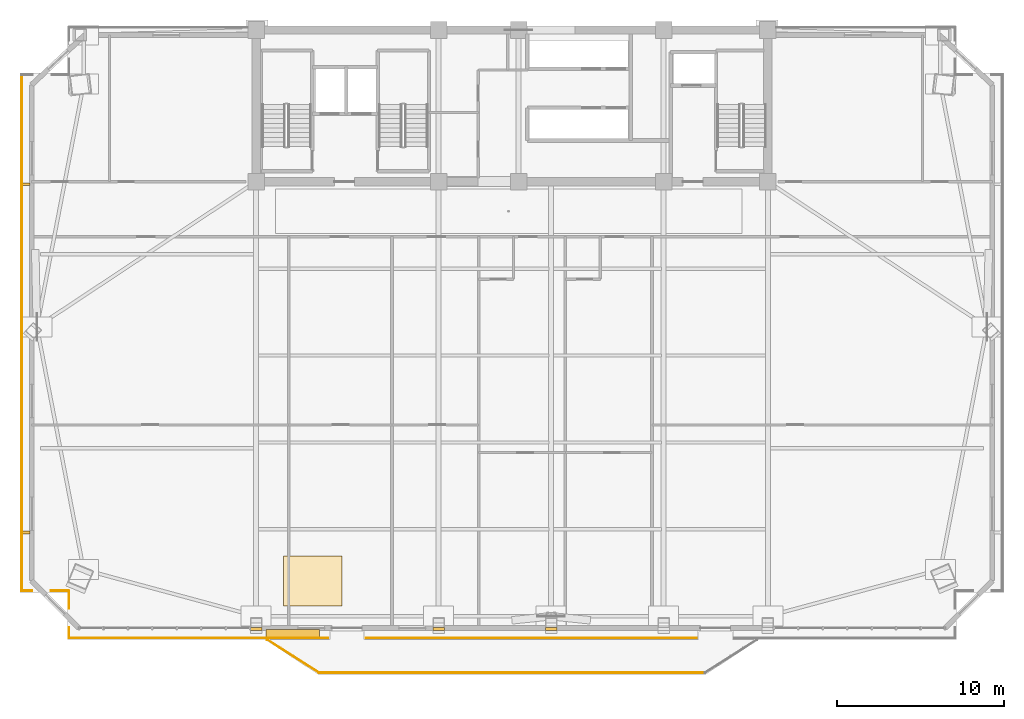
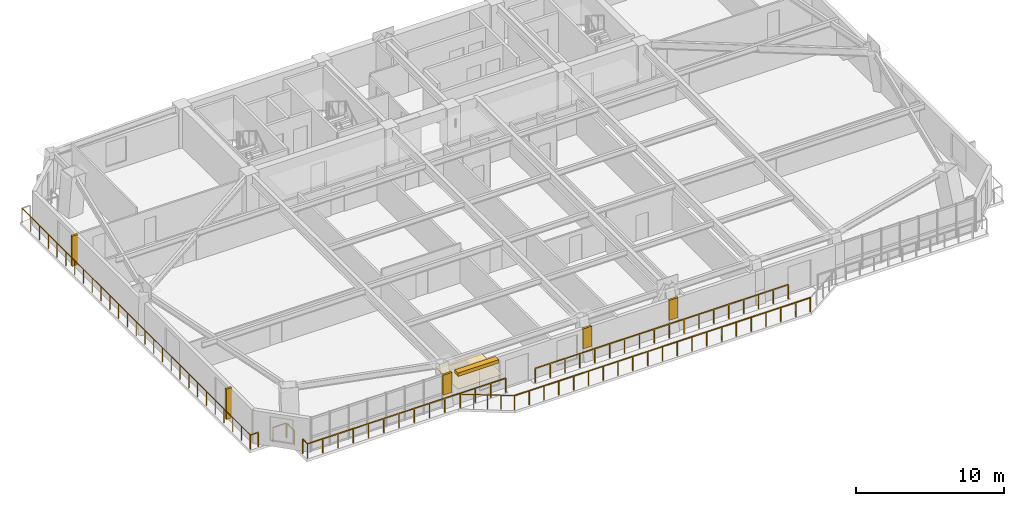
# One storey, part 12 of 16: 9 railings, 4 coverings, 3 shading devices.
"""IFC4 building model written with IfcOpenShell, lengths in metres."""

from ifc_helpers import new_model, si_unit, direction, frame, origin, origin_2d, place, context, subcontext, project, spatial, polyline, rectangle, outline, extrude, source, transform, mapped, material, layer, layer_set, type_object, element, save


model = new_model("IFC4")

# Units and contexts
model_context = context("Model", 3, precision=1e-05, world=origin(), true_north=direction((0.0, 1.0)))
body_context = subcontext(model_context, "Body", "Model", "MODEL_VIEW")
ifc_project = project(units=[si_unit("LENGTHUNIT", "METRE"), si_unit("AREAUNIT", "SQUARE_METRE"), si_unit("VOLUMEUNIT", "CUBIC_METRE"), si_unit("PLANEANGLEUNIT", "RADIAN"), si_unit("MASSUNIT", "GRAM", prefix="KILO")], contexts=[model_context])

# Site, building, storey
site_placement = place(None, origin())
site = spatial("IfcSite", under=ifc_project, at=site_placement, CompositionType="ELEMENT")
building_placement = place(site_placement, origin())
building = spatial("IfcBuilding", under=site, at=building_placement, Name="Giltprow Tower", CompositionType="ELEMENT")
storey_placement = place(building_placement, frame((0.0, 0.0, 199.199951171875)))
storey = spatial("IfcBuildingStorey", under=building, at=storey_placement, Name="L50", CompositionType="ELEMENT", Elevation=199.199951171875)

# Coverings
ifc_material_1 = material(Name="Engineered oak", Category="wood")
ifc_layer_1 = layer(ifc_material_1, 0.02490234375, Name="Engineered oak")
ifc_layer_set_1 = layer_set([ifc_layer_1], Name="Engineered oak")
covering_type_1 = type_object("IfcCoveringType", Name="COV-FLR-TIMBER", PredefinedType="FLOORING", material=ifc_layer_set_1)
covering_1_placement = place(storey_placement, origin())
element("IfcCovering", 1, at=covering_1_placement, inside=storey, type_object=covering_type_1, Name="L50 Engineered Oak Guestroom Flooring", PredefinedType="FLOORING", context=body_context, shape_type="SweptSolid", body=[
    extrude(outline(polyline([(21.5, 11.986083984375), (25.0, 11.986083984375), (25.0, 14.986083984375), (21.5, 14.986083984375), (21.5, 11.986083984375)])), origin(), (0.0, 0.0, 1.0), 0.025146484375),
])
ifc_material_2 = material(Name="Anodized bronze", Category="metal")
ifc_layer_2 = layer(ifc_material_2, 0.0400390625, Name="Anodized bronze")
ifc_layer_set_2 = layer_set([ifc_layer_2], Name="Anodized bronze")
covering_type_2 = type_object("IfcCoveringType", Name="COV-SOFFIT-BRONZE", PredefinedType="CLADDING", material=ifc_layer_set_2)
covering_2_placement = place(storey_placement, frame((0.0, 0.0, 1.10009765625)))
element("IfcCovering", 2, at=covering_2_placement, inside=storey, type_object=covering_type_2, Name="L50 Setback Pier Closure Cladding S-1", PredefinedType="CLADDING", context=body_context, shape_type="SweptSolid", body=[
    extrude(outline(polyline([(19.5, 10.5400390625), (20.199951171875, 10.5400390625), (20.199951171875, 10.699951171875), (19.5, 10.699951171875), (19.5, 10.5400390625)])), origin(), (0.0, 0.0, 1.0), 1.64990234375),
])
covering_3_placement = place(storey_placement, frame((0.0, 0.0, 1.10009765625)))
element("IfcCovering", 3, at=covering_3_placement, inside=storey, type_object=covering_type_2, Name="L50 Setback Pier Closure Cladding S-2", PredefinedType="CLADDING", context=body_context, shape_type="SweptSolid", body=[
    extrude(outline(polyline([(30.449951171875, 10.5400390625), (31.14990234375, 10.5400390625), (31.14990234375, 10.699951171875), (30.449951171875, 10.699951171875), (30.449951171875, 10.5400390625)])), origin(), (0.0, 0.0, 1.0), 1.64990234375),
])
covering_4_placement = place(storey_placement, frame((0.0, 0.0, 1.10009765625)))
element("IfcCovering", 4, at=covering_4_placement, inside=storey, type_object=covering_type_2, Name="L50 Setback Pier Closure Cladding S-3", PredefinedType="CLADDING", context=body_context, shape_type="SweptSolid", body=[
    extrude(outline(polyline([(37.199951171875, 10.5400390625), (37.89990234375, 10.5400390625), (37.89990234375, 10.699951171875), (37.199951171875, 10.699951171875), (37.199951171875, 10.5400390625)])), origin(), (0.0, 0.0, 1.0), 1.64990234375),
])

# Railings
railing_type = type_object("IfcRailingType", Name="RAIL-BALC-GUARD-1200", PredefinedType="BALUSTRADE", material=ifc_material_2)
railing_1_placement = place(storey_placement, frame((20.52001953125, 9.97998046875, 0.0)))
element("IfcRailing", 5, at=railing_1_placement, inside=storey, type_object=railing_type, Name="L50 Waterfront Balcony Balustrade Seg 1", PredefinedType="BALUSTRADE", context=body_context, shape_type="SweptSolid", body=[
    extrude(rectangle(XDim=0.048095703125, YDim=0.048095703125, at=origin_2d()), frame((0.0, 0.0, 1.17578125), z_axis=(0.84277487735, -0.538266203757, 0.0), x_axis=(0.538266203757, 0.84277487735, 0.0)), (0.0, 0.0, 1.0), 3.678466796875),
    extrude(rectangle(XDim=0.0419921875, YDim=0.0419921875, at=origin_2d()), origin(), (0.0, 0.0, 1.0), 1.15185546875),
    extrude(rectangle(XDim=0.0419921875, YDim=0.0419921875, at=origin_2d()), frame((0.77490234375, -0.4951171875, 0.0)), (0.0, 0.0, 1.0), 1.15185546875),
    extrude(rectangle(XDim=0.0419921875, YDim=0.0419921875, at=origin_2d()), frame((1.550048828125, -0.989990234375, 0.0)), (0.0, 0.0, 1.0), 1.15185546875),
    extrude(rectangle(XDim=0.0419921875, YDim=0.0419921875, at=origin_2d()), frame((2.3251953125, -1.48486328125, 0.0)), (0.0, 0.0, 1.0), 1.15185546875),
    extrude(rectangle(XDim=0.0419921875, YDim=0.0419921875, at=origin_2d()), frame((3.10009765625, -1.97998046875, 0.0)), (0.0, 0.0, 1.0), 1.15185546875),
])
railing_2_placement = place(storey_placement, frame((23.6201171875, 8.0, 0.0)))
element("IfcRailing", 6, at=railing_2_placement, inside=storey, type_object=railing_type, Name="L50 Waterfront Balcony Balustrade Seg 2", PredefinedType="BALUSTRADE", context=body_context, shape_type="SweptSolid", body=[
    extrude(rectangle(XDim=0.048095703125, YDim=0.048095703125, at=origin_2d()), frame((0.0, 0.0, 1.17578125), z_axis=(1.0, 0.0, 0.0), x_axis=(0.0, 1.0, 0.0)), (0.0, 0.0, 1.0), 23.159912109375),
    extrude(rectangle(XDim=0.0419921875, YDim=0.0419921875, at=origin_2d()), origin(), (0.0, 0.0, 1.0), 1.15185546875),
    extrude(rectangle(XDim=0.0419921875, YDim=0.0419921875, at=origin_2d()), frame((1.157958984375, 0.0, 0.0)), (0.0, 0.0, 1.0), 1.15185546875),
    extrude(rectangle(XDim=0.0419921875, YDim=0.0419921875, at=origin_2d()), frame((2.31591796875, 0.0, 0.0)), (0.0, 0.0, 1.0), 1.15185546875),
    extrude(rectangle(XDim=0.0419921875, YDim=0.0419921875, at=origin_2d()), frame((3.473876953125, 0.0, 0.0)), (0.0, 0.0, 1.0), 1.15185546875),
    extrude(rectangle(XDim=0.0419921875, YDim=0.0419921875, at=origin_2d()), frame((4.632080078125, 0.0, 0.0)), (0.0, 0.0, 1.0), 1.15185546875),
    extrude(rectangle(XDim=0.0419921875, YDim=0.0419921875, at=origin_2d()), frame((5.7900390625, 0.0, 0.0)), (0.0, 0.0, 1.0), 1.15185546875),
    extrude(rectangle(XDim=0.0419921875, YDim=0.0419921875, at=origin_2d()), frame((6.947998046875, 0.0, 0.0)), (0.0, 0.0, 1.0), 1.15185546875),
    extrude(rectangle(XDim=0.0419921875, YDim=0.0419921875, at=origin_2d()), frame((8.10595703125, 0.0, 0.0)), (0.0, 0.0, 1.0), 1.15185546875),
    extrude(rectangle(XDim=0.0419921875, YDim=0.0419921875, at=origin_2d()), frame((9.263916015625, 0.0, 0.0)), (0.0, 0.0, 1.0), 1.15185546875),
    extrude(rectangle(XDim=0.0419921875, YDim=0.0419921875, at=origin_2d()), frame((10.421875, 0.0, 0.0)), (0.0, 0.0, 1.0), 1.15185546875),
    extrude(rectangle(XDim=0.0419921875, YDim=0.0419921875, at=origin_2d()), frame((11.580078125, 0.0, 0.0)), (0.0, 0.0, 1.0), 1.15185546875),
    extrude(rectangle(XDim=0.0419921875, YDim=0.0419921875, at=origin_2d()), frame((12.738037109375, 0.0, 0.0)), (0.0, 0.0, 1.0), 1.15185546875),
    extrude(rectangle(XDim=0.0419921875, YDim=0.0419921875, at=origin_2d()), frame((13.89599609375, 0.0, 0.0)), (0.0, 0.0, 1.0), 1.15185546875),
    extrude(rectangle(XDim=0.0419921875, YDim=0.0419921875, at=origin_2d()), frame((15.053955078125, 0.0, 0.0)), (0.0, 0.0, 1.0), 1.15185546875),
    extrude(rectangle(XDim=0.0419921875, YDim=0.0419921875, at=origin_2d()), frame((16.2119140625, 0.0, 0.0)), (0.0, 0.0, 1.0), 1.15185546875),
    extrude(rectangle(XDim=0.0419921875, YDim=0.0419921875, at=origin_2d()), frame((17.369873046875, 0.0, 0.0)), (0.0, 0.0, 1.0), 1.15185546875),
    extrude(rectangle(XDim=0.0419921875, YDim=0.0419921875, at=origin_2d()), frame((18.52783203125, 0.0, 0.0)), (0.0, 0.0, 1.0), 1.15185546875),
    extrude(rectangle(XDim=0.0419921875, YDim=0.0419921875, at=origin_2d()), frame((19.68603515625, 0.0, 0.0)), (0.0, 0.0, 1.0), 1.15185546875),
    extrude(rectangle(XDim=0.0419921875, YDim=0.0419921875, at=origin_2d()), frame((20.843994140625, 0.0, 0.0)), (0.0, 0.0, 1.0), 1.15185546875),
    extrude(rectangle(XDim=0.0419921875, YDim=0.0419921875, at=origin_2d()), frame((22.001953125, 0.0, 0.0)), (0.0, 0.0, 1.0), 1.15185546875),
    extrude(rectangle(XDim=0.0419921875, YDim=0.0419921875, at=origin_2d()), frame((23.159912109375, 0.0, 0.0)), (0.0, 0.0, 1.0), 1.15185546875),
])
railing_3_placement = place(storey_placement, frame((46.25, 10.080078125, 0.0)))
element("IfcRailing", 7, at=railing_3_placement, inside=storey, type_object=railing_type, Name="L50 Corner Apron Edge Balustrade 7", PredefinedType="BALUSTRADE", context=body_context, shape_type="SweptSolid", body=[
    extrude(rectangle(XDim=0.048095703125, YDim=0.048095703125, at=origin_2d()), frame((0.0, 0.0, 1.17578125), z_axis=(-1.0, 0.0, 0.0), x_axis=(0.0, -1.0, 0.0)), (0.0, 0.0, 1.0), 19.800048828125),
    extrude(rectangle(XDim=0.0419921875, YDim=0.0419921875, at=origin_2d()), origin(), (0.0, 0.0, 1.0), 1.15185546875),
    extrude(rectangle(XDim=0.0419921875, YDim=0.0419921875, at=origin_2d()), frame((-1.164794921875, 0.0, 0.0)), (0.0, 0.0, 1.0), 1.15185546875),
    extrude(rectangle(XDim=0.0419921875, YDim=0.0419921875, at=origin_2d()), frame((-2.329345703125, 0.0, 0.0)), (0.0, 0.0, 1.0), 1.15185546875),
    extrude(rectangle(XDim=0.0419921875, YDim=0.0419921875, at=origin_2d()), frame((-3.494140625, 0.0, 0.0)), (0.0, 0.0, 1.0), 1.15185546875),
    extrude(rectangle(XDim=0.0419921875, YDim=0.0419921875, at=origin_2d()), frame((-4.658935546875, 0.0, 0.0)), (0.0, 0.0, 1.0), 1.15185546875),
    extrude(rectangle(XDim=0.0419921875, YDim=0.0419921875, at=origin_2d()), frame((-5.823486328125, 0.0, 0.0)), (0.0, 0.0, 1.0), 1.15185546875),
    extrude(rectangle(XDim=0.0419921875, YDim=0.0419921875, at=origin_2d()), frame((-6.98828125, 0.0, 0.0)), (0.0, 0.0, 1.0), 1.15185546875),
    extrude(rectangle(XDim=0.0419921875, YDim=0.0419921875, at=origin_2d()), frame((-8.153076171875, 0.0, 0.0)), (0.0, 0.0, 1.0), 1.15185546875),
    extrude(rectangle(XDim=0.0419921875, YDim=0.0419921875, at=origin_2d()), frame((-9.317626953125, 0.0, 0.0)), (0.0, 0.0, 1.0), 1.15185546875),
    extrude(rectangle(XDim=0.0419921875, YDim=0.0419921875, at=origin_2d()), frame((-10.482421875, 0.0, 0.0)), (0.0, 0.0, 1.0), 1.15185546875),
    extrude(rectangle(XDim=0.0419921875, YDim=0.0419921875, at=origin_2d()), frame((-11.64697265625, 0.0, 0.0)), (0.0, 0.0, 1.0), 1.15185546875),
    extrude(rectangle(XDim=0.0419921875, YDim=0.0419921875, at=origin_2d()), frame((-12.811767578125, 0.0, 0.0)), (0.0, 0.0, 1.0), 1.15185546875),
    extrude(rectangle(XDim=0.0419921875, YDim=0.0419921875, at=origin_2d()), frame((-13.9765625, 0.0, 0.0)), (0.0, 0.0, 1.0), 1.15185546875),
    extrude(rectangle(XDim=0.0419921875, YDim=0.0419921875, at=origin_2d()), frame((-15.14111328125, 0.0, 0.0)), (0.0, 0.0, 1.0), 1.15185546875),
    extrude(rectangle(XDim=0.0419921875, YDim=0.0419921875, at=origin_2d()), frame((-16.305908203125, 0.0, 0.0)), (0.0, 0.0, 1.0), 1.15185546875),
    extrude(rectangle(XDim=0.0419921875, YDim=0.0419921875, at=origin_2d()), frame((-17.470703125, 0.0, 0.0)), (0.0, 0.0, 1.0), 1.15185546875),
    extrude(rectangle(XDim=0.0419921875, YDim=0.0419921875, at=origin_2d()), frame((-18.63525390625, 0.0, 0.0)), (0.0, 0.0, 1.0), 1.15185546875),
    extrude(rectangle(XDim=0.0419921875, YDim=0.0419921875, at=origin_2d()), frame((-19.800048828125, 0.0, 0.0)), (0.0, 0.0, 1.0), 1.15185546875),
])
railing_4_placement = place(storey_placement, frame((24.14990234375, 10.080078125, 0.0)))
element("IfcRailing", 8, at=railing_4_placement, inside=storey, type_object=railing_type, Name="L50 Corner Apron Edge Balustrade 8", PredefinedType="BALUSTRADE", context=body_context, shape_type="SweptSolid", body=[
    extrude(rectangle(XDim=0.048095703125, YDim=0.048095703125, at=origin_2d()), frame((0.0, 0.0, 1.17578125), z_axis=(-1.0, 0.0, 0.0), x_axis=(0.0, -1.0, 0.0)), (0.0, 0.0, 1.0), 15.52587890625),
    extrude(rectangle(XDim=0.0419921875, YDim=0.0419921875, at=origin_2d()), origin(), (0.0, 0.0, 1.0), 1.15185546875),
    extrude(rectangle(XDim=0.0419921875, YDim=0.0419921875, at=origin_2d()), frame((-1.1943359375, 0.0, 0.0)), (0.0, 0.0, 1.0), 1.15185546875),
    extrude(rectangle(XDim=0.0419921875, YDim=0.0419921875, at=origin_2d()), frame((-2.388671875, 0.0, 0.0)), (0.0, 0.0, 1.0), 1.15185546875),
    extrude(rectangle(XDim=0.0419921875, YDim=0.0419921875, at=origin_2d()), frame((-3.5830078125, 0.0, 0.0)), (0.0, 0.0, 1.0), 1.15185546875),
    extrude(rectangle(XDim=0.0419921875, YDim=0.0419921875, at=origin_2d()), frame((-4.777099609375, 0.0, 0.0)), (0.0, 0.0, 1.0), 1.15185546875),
    extrude(rectangle(XDim=0.0419921875, YDim=0.0419921875, at=origin_2d()), frame((-5.971435546875, 0.0, 0.0)), (0.0, 0.0, 1.0), 1.15185546875),
    extrude(rectangle(XDim=0.0419921875, YDim=0.0419921875, at=origin_2d()), frame((-7.165771484375, 0.0, 0.0)), (0.0, 0.0, 1.0), 1.15185546875),
    extrude(rectangle(XDim=0.0419921875, YDim=0.0419921875, at=origin_2d()), frame((-8.360107421875, 0.0, 0.0)), (0.0, 0.0, 1.0), 1.15185546875),
    extrude(rectangle(XDim=0.0419921875, YDim=0.0419921875, at=origin_2d()), frame((-9.554443359375, 0.0, 0.0)), (0.0, 0.0, 1.0), 1.15185546875),
    extrude(rectangle(XDim=0.0419921875, YDim=0.0419921875, at=origin_2d()), frame((-10.748779296875, 0.0, 0.0)), (0.0, 0.0, 1.0), 1.15185546875),
    extrude(rectangle(XDim=0.0419921875, YDim=0.0419921875, at=origin_2d()), frame((-11.94287109375, 0.0, 0.0)), (0.0, 0.0, 1.0), 1.15185546875),
    extrude(rectangle(XDim=0.0419921875, YDim=0.0419921875, at=origin_2d()), frame((-13.13720703125, 0.0, 0.0)), (0.0, 0.0, 1.0), 1.15185546875),
    extrude(rectangle(XDim=0.0419921875, YDim=0.0419921875, at=origin_2d()), frame((-14.33154296875, 0.0, 0.0)), (0.0, 0.0, 1.0), 1.15185546875),
    extrude(rectangle(XDim=0.0419921875, YDim=0.0419921875, at=origin_2d()), frame((-15.52587890625, 0.0, 0.0)), (0.0, 0.0, 1.0), 1.15185546875),
])
railing_5_placement = place(storey_placement, frame((8.6240234375, 10.080078125, 0.0)))
element("IfcRailing", 9, at=railing_5_placement, inside=storey, type_object=railing_type, Name="L50 Corner Apron Edge Balustrade 9", PredefinedType="BALUSTRADE", context=body_context, shape_type="SweptSolid", body=[
    extrude(rectangle(XDim=0.048095703125, YDim=0.048095703125, at=origin_2d()), frame((0.0, 0.0, 1.17578125), z_axis=(0.0, 1.0, 0.0), x_axis=(-1.0, 0.0, 0.0)), (0.0, 0.0, 1.0), 0.619873046875),
    extrude(rectangle(XDim=0.0419921875, YDim=0.0419921875, at=origin_2d()), origin(), (0.0, 0.0, 1.0), 1.15185546875),
    extrude(rectangle(XDim=0.0419921875, YDim=0.0419921875, at=origin_2d()), frame((0.0, 0.619873046875, 0.0)), (0.0, 0.0, 1.0), 1.15185546875),
])
railing_6_placement = place(storey_placement, frame((8.6240234375, 11.860107421875, 0.0)))
element("IfcRailing", 10, at=railing_6_placement, inside=storey, type_object=railing_type, Name="L50 Corner Apron Edge Balustrade 10", PredefinedType="BALUSTRADE", context=body_context, shape_type="SweptSolid", body=[
    extrude(rectangle(XDim=0.048095703125, YDim=0.048095703125, at=origin_2d()), frame((0.0, 0.0, 1.17578125), z_axis=(0.0, 1.0, 0.0), x_axis=(-1.0, 0.0, 0.0)), (0.0, 0.0, 1.0), 1.019775390625),
    extrude(rectangle(XDim=0.0419921875, YDim=0.0419921875, at=origin_2d()), origin(), (0.0, 0.0, 1.0), 1.15185546875),
    extrude(rectangle(XDim=0.0419921875, YDim=0.0419921875, at=origin_2d()), frame((0.0, 1.019775390625, 0.0)), (0.0, 0.0, 1.0), 1.15185546875),
])
railing_7_placement = place(storey_placement, frame((8.589111328125, 12.916015625, 0.0)))
element("IfcRailing", 11, at=railing_7_placement, inside=storey, type_object=railing_type, Name="L50 Corner Apron Edge Balustrade 11", PredefinedType="BALUSTRADE", context=body_context, shape_type="SweptSolid", body=[
    extrude(rectangle(XDim=0.048095703125, YDim=0.048095703125, at=origin_2d()), frame((0.0, 0.0, 1.17578125), z_axis=(-1.0, 0.0, 0.0), x_axis=(0.0, -1.0, 0.0)), (0.0, 0.0, 1.0), 1.02099609375),
    extrude(rectangle(XDim=0.0419921875, YDim=0.0419921875, at=origin_2d()), origin(), (0.0, 0.0, 1.0), 1.15185546875),
    extrude(rectangle(XDim=0.0419921875, YDim=0.0419921875, at=origin_2d()), frame((-1.02099609375, 0.0, 0.0)), (0.0, 0.0, 1.0), 1.15185546875),
])
railing_8_placement = place(storey_placement, frame((6.407958984375, 12.916015625, 0.0)))
element("IfcRailing", 12, at=railing_8_placement, inside=storey, type_object=railing_type, Name="L50 Corner Apron Edge Balustrade 12", PredefinedType="BALUSTRADE", context=body_context, shape_type="SweptSolid", body=[
    extrude(rectangle(XDim=0.048095703125, YDim=0.048095703125, at=origin_2d()), frame((0.0, 0.0, 1.17578125), z_axis=(-1.0, 0.0, 0.0), x_axis=(0.0, -1.0, 0.0)), (0.0, 0.0, 1.0), 0.618896484375),
    extrude(rectangle(XDim=0.0419921875, YDim=0.0419921875, at=origin_2d()), origin(), (0.0, 0.0, 1.0), 1.15185546875),
    extrude(rectangle(XDim=0.0419921875, YDim=0.0419921875, at=origin_2d()), frame((-0.618896484375, 0.0, 0.0)), (0.0, 0.0, 1.0), 1.15185546875),
])
railing_9_placement = place(storey_placement, frame((5.7890625, 12.916015625, 0.0)))
element("IfcRailing", 13, at=railing_9_placement, inside=storey, type_object=railing_type, Name="L50 Corner Apron Edge Balustrade 13", PredefinedType="BALUSTRADE", context=body_context, shape_type="SweptSolid", body=[
    extrude(rectangle(XDim=0.048095703125, YDim=0.048095703125, at=origin_2d()), frame((0.0, 0.0, 1.17578125), z_axis=(0.0, 1.0, 0.0), x_axis=(-1.0, 0.0, 0.0)), (0.0, 0.0, 1.0), 30.948974609375),
    extrude(rectangle(XDim=0.0419921875, YDim=0.0419921875, at=origin_2d()), origin(), (0.0, 0.0, 1.0), 1.15185546875),
    extrude(rectangle(XDim=0.0419921875, YDim=0.0419921875, at=origin_2d()), frame((0.0, 1.1904296875, 0.0)), (0.0, 0.0, 1.0), 1.15185546875),
    extrude(rectangle(XDim=0.0419921875, YDim=0.0419921875, at=origin_2d()), frame((0.0, 2.380615234375, 0.0)), (0.0, 0.0, 1.0), 1.15185546875),
    extrude(rectangle(XDim=0.0419921875, YDim=0.0419921875, at=origin_2d()), frame((0.0, 3.571044921875, 0.0)), (0.0, 0.0, 1.0), 1.15185546875),
    extrude(rectangle(XDim=0.0419921875, YDim=0.0419921875, at=origin_2d()), frame((0.0, 4.761474609375, 0.0)), (0.0, 0.0, 1.0), 1.15185546875),
    extrude(rectangle(XDim=0.0419921875, YDim=0.0419921875, at=origin_2d()), frame((0.0, 5.95166015625, 0.0)), (0.0, 0.0, 1.0), 1.15185546875),
    extrude(rectangle(XDim=0.0419921875, YDim=0.0419921875, at=origin_2d()), frame((0.0, 7.14208984375, 0.0)), (0.0, 0.0, 1.0), 1.15185546875),
    extrude(rectangle(XDim=0.0419921875, YDim=0.0419921875, at=origin_2d()), frame((0.0, 8.33251953125, 0.0)), (0.0, 0.0, 1.0), 1.15185546875),
    extrude(rectangle(XDim=0.0419921875, YDim=0.0419921875, at=origin_2d()), frame((0.0, 9.522705078125, 0.0)), (0.0, 0.0, 1.0), 1.15185546875),
    extrude(rectangle(XDim=0.0419921875, YDim=0.0419921875, at=origin_2d()), frame((0.0, 10.713134765625, 0.0)), (0.0, 0.0, 1.0), 1.15185546875),
    extrude(rectangle(XDim=0.0419921875, YDim=0.0419921875, at=origin_2d()), frame((0.0, 11.903564453125, 0.0)), (0.0, 0.0, 1.0), 1.15185546875),
    extrude(rectangle(XDim=0.0419921875, YDim=0.0419921875, at=origin_2d()), frame((0.0, 13.09375, 0.0)), (0.0, 0.0, 1.0), 1.15185546875),
    extrude(rectangle(XDim=0.0419921875, YDim=0.0419921875, at=origin_2d()), frame((0.0, 14.2841796875, 0.0)), (0.0, 0.0, 1.0), 1.15185546875),
    extrude(rectangle(XDim=0.0419921875, YDim=0.0419921875, at=origin_2d()), frame((0.0, 15.474609375, 0.0)), (0.0, 0.0, 1.0), 1.15185546875),
    extrude(rectangle(XDim=0.0419921875, YDim=0.0419921875, at=origin_2d()), frame((0.0, 16.664794921875, 0.0)), (0.0, 0.0, 1.0), 1.15185546875),
    extrude(rectangle(XDim=0.0419921875, YDim=0.0419921875, at=origin_2d()), frame((0.0, 17.855224609375, 0.0)), (0.0, 0.0, 1.0), 1.15185546875),
    extrude(rectangle(XDim=0.0419921875, YDim=0.0419921875, at=origin_2d()), frame((0.0, 19.04541015625, 0.0)), (0.0, 0.0, 1.0), 1.15185546875),
    extrude(rectangle(XDim=0.0419921875, YDim=0.0419921875, at=origin_2d()), frame((0.0, 20.23583984375, 0.0)), (0.0, 0.0, 1.0), 1.15185546875),
    extrude(rectangle(XDim=0.0419921875, YDim=0.0419921875, at=origin_2d()), frame((0.0, 21.42626953125, 0.0)), (0.0, 0.0, 1.0), 1.15185546875),
    extrude(rectangle(XDim=0.0419921875, YDim=0.0419921875, at=origin_2d()), frame((0.0, 22.616455078125, 0.0)), (0.0, 0.0, 1.0), 1.15185546875),
    extrude(rectangle(XDim=0.0419921875, YDim=0.0419921875, at=origin_2d()), frame((0.0, 23.806884765625, 0.0)), (0.0, 0.0, 1.0), 1.15185546875),
    extrude(rectangle(XDim=0.0419921875, YDim=0.0419921875, at=origin_2d()), frame((0.0, 24.997314453125, 0.0)), (0.0, 0.0, 1.0), 1.15185546875),
    extrude(rectangle(XDim=0.0419921875, YDim=0.0419921875, at=origin_2d()), frame((0.0, 26.1875, 0.0)), (0.0, 0.0, 1.0), 1.15185546875),
    extrude(rectangle(XDim=0.0419921875, YDim=0.0419921875, at=origin_2d()), frame((0.0, 27.3779296875, 0.0)), (0.0, 0.0, 1.0), 1.15185546875),
    extrude(rectangle(XDim=0.0419921875, YDim=0.0419921875, at=origin_2d()), frame((0.0, 28.568359375, 0.0)), (0.0, 0.0, 1.0), 1.15185546875),
    extrude(rectangle(XDim=0.0419921875, YDim=0.0419921875, at=origin_2d()), frame((0.0, 29.758544921875, 0.0)), (0.0, 0.0, 1.0), 1.15185546875),
    extrude(rectangle(XDim=0.0419921875, YDim=0.0419921875, at=origin_2d()), frame((0.0, 30.948974609375, 0.0)), (0.0, 0.0, 1.0), 1.15185546875),
])

# Shading devices
shading_device_type_1 = type_object("IfcShadingDeviceType", Name="SHD-FIN-420", PredefinedType="USERDEFINED", material=ifc_material_2)
shared_shape_1 = source(origin(), body_context, "Body", "SweptSolid", [
    extrude(rectangle(XDim=0.419921875, YDim=0.159912109375, at=origin_2d()), origin(), (0.0, 0.0, 1.0), 2.5),
])
for number, where, z_axis, x_axis, name in (
    (14, (6.089111328125, 16.412109375, 0.35009765625), (0.0, 0.0, 1.0), (1.0, 0.0, 0.0), "L50 W Bronze Vertical Fin 1-1"),
    (15, (6.089111328125, 37.2939453125, 0.35009765625), (0.0, 0.0, 1.0), (1.0, 0.0, 0.0), "L50 W Bronze Vertical Fin 2-1"),
):
    element("IfcShadingDevice", number, at=place(storey_placement, frame(where, z_axis=z_axis, x_axis=x_axis)), inside=storey, type_object=shading_device_type_1, Name=name, ObjectType="FIN", PredefinedType="USERDEFINED", context=body_context, shape_type="MappedRepresentation", body=[
        mapped(shared_shape_1, transform((0.0, 0.0, 0.0), x_axis=(1.0, 0.0, 0.0), y_axis=(0.0, 1.0, 0.0), z_axis=(0.0, 0.0, 1.0), scale=1.0)),
    ])
shading_device_type_2 = type_object("IfcShadingDeviceType", Name="SHD-LOUVRE-320", PredefinedType="JALOUSIE", material=ifc_material_2)
shared_shape_2 = source(origin(), body_context, "Body", "SweptSolid", [
    extrude(rectangle(XDim=3.199951171875, YDim=0.449951171875, at=origin_2d()), origin(), (0.0, 0.0, 1.0), 0.280029296875),
])
shading_device_placement = place(storey_placement, frame((22.050048828125, 10.3798828125, 2.56005859375), z_axis=(0.0, 0.0, 1.0), x_axis=(1.0, 0.0, 0.0)))
element("IfcShadingDevice", 16, at=shading_device_placement, inside=storey, type_object=shading_device_type_2, Name="L50 Bronze Sunshade Louvre S-2", PredefinedType="JALOUSIE", context=body_context, shape_type="MappedRepresentation", body=[
    mapped(shared_shape_2, transform((0.0, 0.0, 0.0), x_axis=(1.0, 0.0, 0.0), y_axis=(0.0, 1.0, 0.0), z_axis=(0.0, 0.0, 1.0), scale=1.0)),
])

save(model, "model.ifc")
